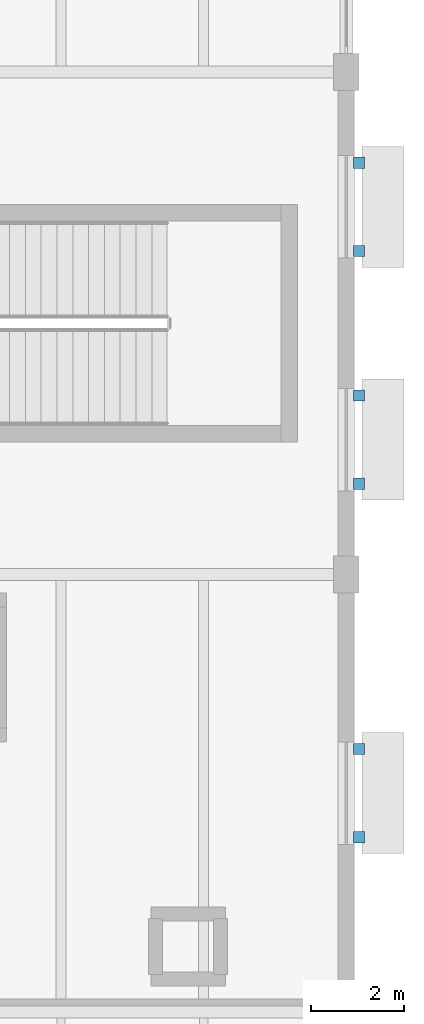
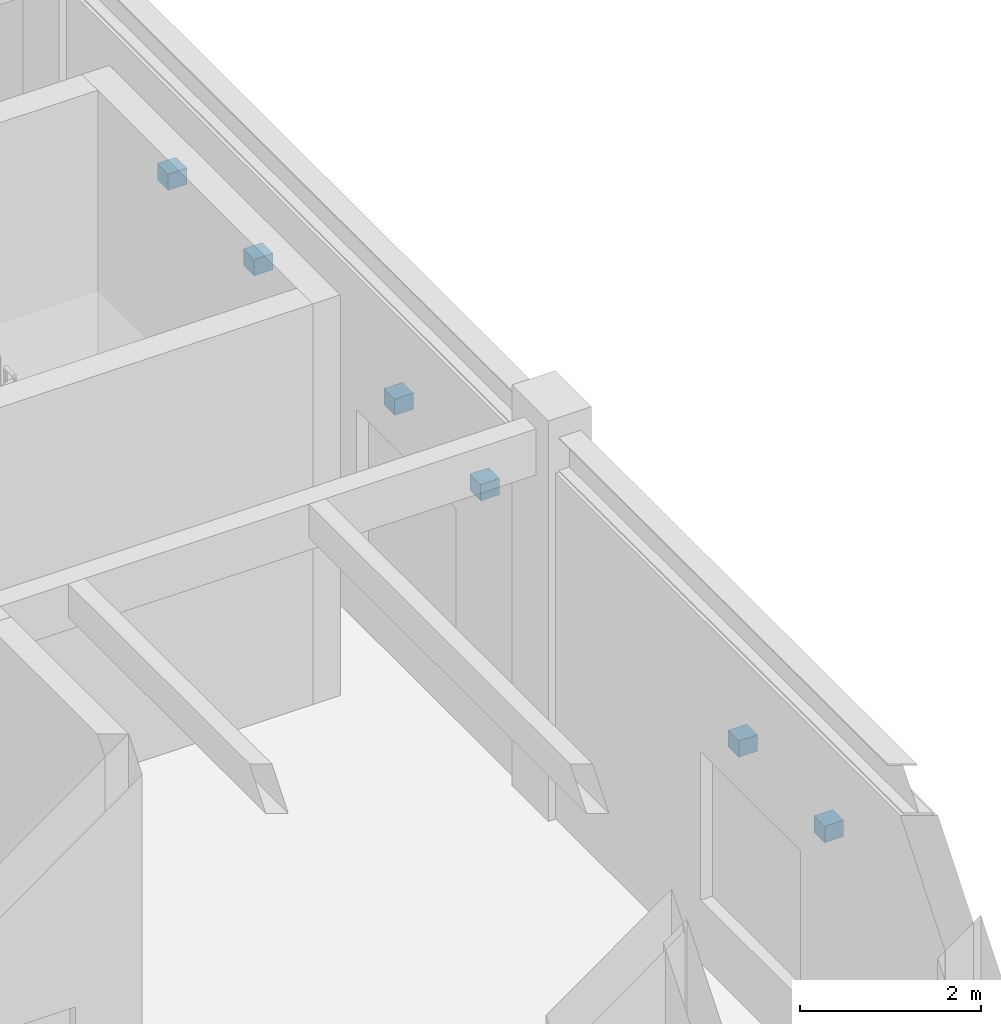
# One storey, part 61 of 72: 6 discrete accessories.
"""IFC4 building model written with IfcOpenShell, lengths in metres."""

from ifc_helpers import new_model, si_unit, direction, frame, origin, origin_2d, place, context, subcontext, project, spatial, rectangle, extrude, material, type_object, element, save


model = new_model("IFC4")

# Units and contexts
model_context = context("Model", 3, precision=1e-05, world=origin(), true_north=direction((0.0, 1.0)))
body_context = subcontext(model_context, "Body", "Model", "MODEL_VIEW")
ifc_project = project(units=[si_unit("LENGTHUNIT", "METRE"), si_unit("AREAUNIT", "SQUARE_METRE"), si_unit("VOLUMEUNIT", "CUBIC_METRE"), si_unit("PLANEANGLEUNIT", "RADIAN"), si_unit("MASSUNIT", "GRAM", prefix="KILO")], contexts=[model_context])

# Site, building, storey
site_placement = place(None, origin())
site = spatial("IfcSite", under=ifc_project, at=site_placement, CompositionType="ELEMENT")
building_placement = place(site_placement, origin())
building = spatial("IfcBuilding", under=site, at=building_placement, Name="Veldera Park Congress Hotel", CompositionType="ELEMENT")
storey_placement = place(building_placement, frame((0.0, 0.0, 5.39990234375)))
storey = spatial("IfcBuildingStorey", under=building, at=storey_placement, Name="L01", CompositionType="ELEMENT", Elevation=5.39990234375)

# Discrete accessories
ifc_material = material(Name="Steel ASTM A992 Gr.50", Category="steel")
discrete_accessory_type = type_object("IfcDiscreteAccessoryType", Name="ACC-BRK160", PredefinedType="BRACKET", material=ifc_material)
for number, where, z_axis, x_axis, name in (
    (1, (84.27001953125, 30.75, 2.8203125), (0.0, 0.0, 1.0), (0.0, 1.0, 0.0), "Shading Steel Outrigger Bracket 112L"),
    (2, (84.27001953125, 32.64990234375, 2.8203125), (0.0, 0.0, 1.0), (0.0, 1.0, 0.0), "Shading Steel Outrigger Bracket 112R"),
    (3, (84.27001953125, 38.34912109375, 2.8203125), (0.0, 0.0, 1.0), (0.0, 1.0, 0.0), "Shading Steel Outrigger Bracket 113L"),
    (4, (84.27001953125, 40.2490234375, 2.8203125), (0.0, 0.0, 1.0), (0.0, 1.0, 0.0), "Shading Steel Outrigger Bracket 113R"),
    (5, (84.27001953125, 43.35107421875, 2.8203125), (0.0, 0.0, 1.0), (0.0, 1.0, 0.0), "Shading Steel Outrigger Bracket 114L"),
    (6, (84.27001953125, 45.2509765625, 2.8203125), (0.0, 0.0, 1.0), (0.0, 1.0, 0.0), "Shading Steel Outrigger Bracket 114R"),
):
    element("IfcDiscreteAccessory", number, at=place(storey_placement, frame(where, z_axis=z_axis, x_axis=x_axis)), inside=storey, type_object=discrete_accessory_type, Name=name, PredefinedType="BRACKET", context=body_context, shape_type="SweptSolid", body=[
        extrude(rectangle(XDim=0.239990234375, YDim=0.239990234375, at=origin_2d()), origin(), (0.0, 0.0, 1.0), 0.219970703125),
    ])

save(model, "model.ifc")
